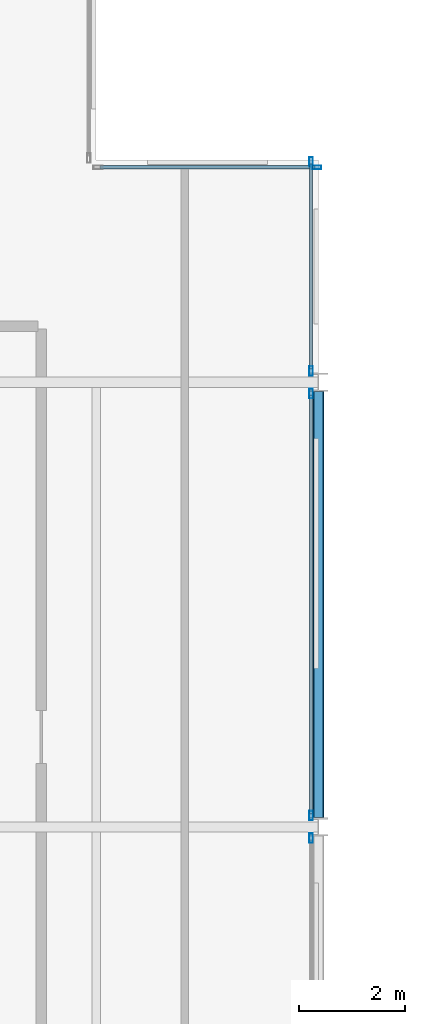
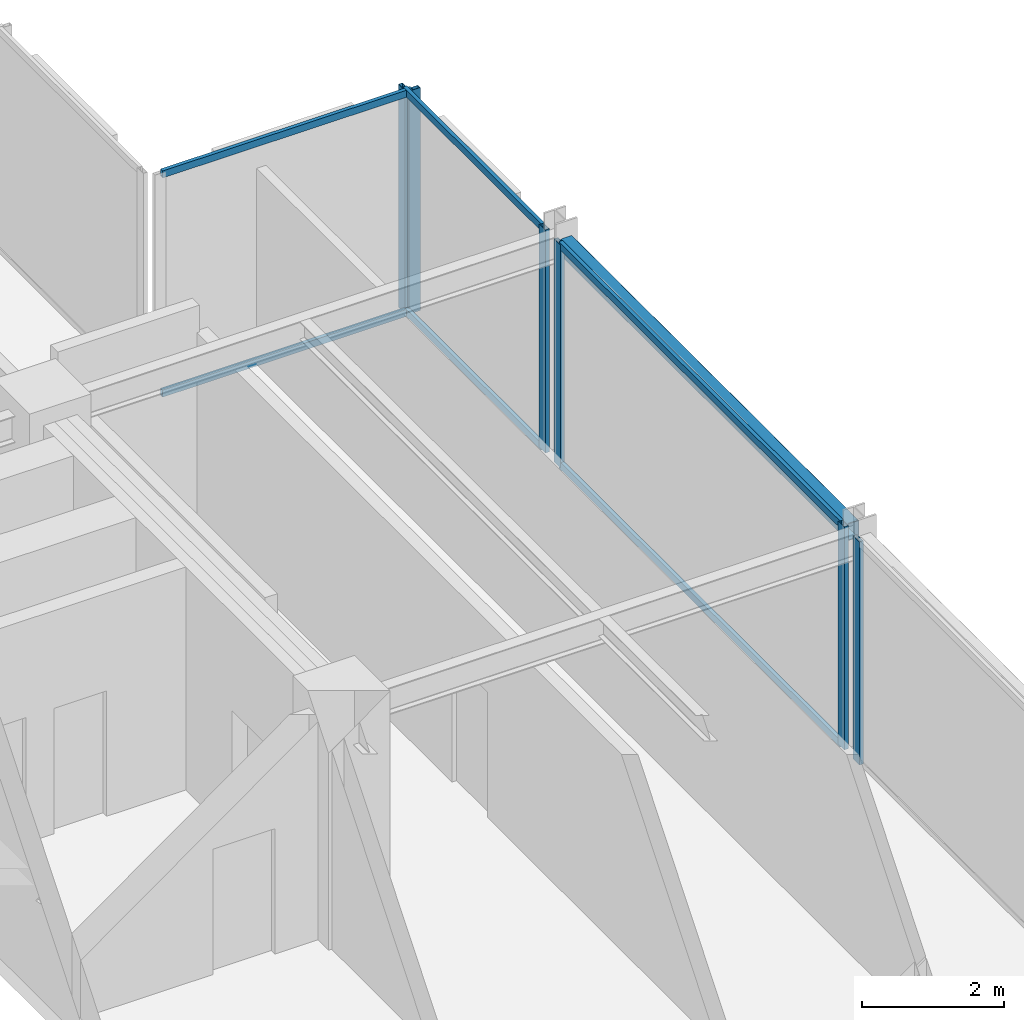
# One storey, part 22 of 29: 12 members, 1 beam, 4 elements without a shape of their own.
"""IFC4 building model written with IfcOpenShell, lengths in metres."""

from ifc_helpers import new_model, si_unit, direction, frame, origin, origin_2d, place, context, subcontext, project, spatial, hollow_rectangle, extrude, material, layer, layer_set, material_profile, profile_set, type_object, element, aggregate, save


model = new_model("IFC4")

# Units and contexts
model_context = context("Model", 3, precision=1e-05, world=origin(), true_north=direction((0.0, 1.0)))
body_context = subcontext(model_context, "Body", "Model", "MODEL_VIEW")
ifc_project = project(units=[si_unit("LENGTHUNIT", "METRE"), si_unit("AREAUNIT", "SQUARE_METRE"), si_unit("VOLUMEUNIT", "CUBIC_METRE"), si_unit("PLANEANGLEUNIT", "RADIAN"), si_unit("MASSUNIT", "GRAM", prefix="KILO")], contexts=[model_context])

# Site, building, storey
site_placement = place(None, origin())
site = spatial("IfcSite", under=ifc_project, at=site_placement, CompositionType="ELEMENT")
building_placement = place(site_placement, origin())
building = spatial("IfcBuilding", under=site, at=building_placement, Name="Nerrivon Quay Data Exchange", CompositionType="ELEMENT")
storey_placement = place(building_placement, frame((0.0, 0.0, 208.300048828125)))
storey = spatial("IfcBuildingStorey", under=building, at=storey_placement, Name="L49", CompositionType="ELEMENT", Elevation=208.300048828125)

# Beam
ifc_material_1 = material(Name="Steel Grade C350L0 (350 MPa)", Category="steel")
ifc_material_profile_1 = material_profile(ifc_material_1, hollow_rectangle(XDim=0.199951171875, YDim=0.300048828125, WallThickness=0.012451171875, InnerFilletRadius=0.018798828125, OuterFilletRadius=0.03125, at=origin_2d()), Name="300x200x12.5RHS")
ifc_profile_set_1 = profile_set([ifc_material_profile_1], Name="Steel Grade C350L0 (350 MPa)")
beam_type = type_object("IfcBeamType", Name="BM-SP3-300x200RHS", PredefinedType="SPANDREL", material=ifc_profile_set_1)
beam_placement = place(storey_placement, frame((25.199951171875, 33.77490234375, 3.675048828125), z_axis=(0.0, 1.0, 0.0), x_axis=(-1.0, 0.0, 0.0)))
element("IfcBeam", 1, at=beam_placement, inside=storey, type_object=beam_type, Name="L49 NS Girder X=25.2 (33.6..42.0)", PredefinedType="SPANDREL", context=body_context, shape_type="SweptSolid", body=[
    extrude(hollow_rectangle(XDim=0.199951171875, YDim=0.300048828125, WallThickness=0.012451171875, InnerFilletRadius=0.018798828125, OuterFilletRadius=0.03125, at=origin_2d()), origin(), (0.0, 0.0, 1.0), 8.050048828125),
])

# Curtain wall, member
ifc_material_2 = material(Name="Anodised aluminium 6063-T6", Category="aluminium")
ifc_layer = layer(ifc_material_2, 0.195068359375)
ifc_layer_set = layer_set([ifc_layer], Name="Anodised aluminium 6063-T6")
curtain_wall_type = type_object("IfcCurtainWallType", Name="CW-SYS-06", PredefinedType="NOTDEFINED", material=ifc_layer_set)
curtain_wall_1_placement = place(storey_placement, origin())
curtain_wall_1 = element("IfcCurtainWall", 2, at=curtain_wall_1_placement, inside=storey, type_object=curtain_wall_type, Name="L49 Unitised Curtain Wall 12", PredefinedType="NOTDEFINED")
ifc_material_profile_2 = material_profile(ifc_material_2, hollow_rectangle(XDim=0.06494140625, YDim=0.179931640625, WallThickness=0.00341796875, at=origin_2d()), Name="ALU-MULL-180x65")
ifc_profile_set_2 = profile_set([ifc_material_profile_2], Name="Anodised aluminium 6063-T6")
member_type_1 = type_object("IfcMemberType", Name="CWM-180x65", PredefinedType="MULLION", material=ifc_profile_set_2)
member_1_placement = place(storey_placement, frame((25.16259765625, 46.06005859375, 0.0), z_axis=(0.0, 0.0, 1.0), x_axis=(0.0, 1.0, 0.0)))
member_1 = element("IfcMember", 3, at=member_1_placement, type_object=member_type_1, Name="CW06 mullion 2", PredefinedType="MULLION", context=body_context, shape_type="SweptSolid", body=[
    extrude(hollow_rectangle(XDim=0.06494140625, YDim=0.179931640625, WallThickness=0.00341796875, at=origin_2d()), origin(), (0.0, 0.0, 1.0), 3.824951171875),
])

# Curtain wall, members
curtain_wall_2_placement = place(storey_placement, origin())
curtain_wall_2 = element("IfcCurtainWall", 4, at=curtain_wall_2_placement, inside=storey, type_object=curtain_wall_type, Name="L49 Unitised Curtain Wall 13", PredefinedType="NOTDEFINED")
member_2_placement = place(storey_placement, frame((25.06005859375, 46.16259765625, 0.0), z_axis=(0.0, 0.0, 1.0), x_axis=(1.0, 0.0, 0.0)))
member_2 = element("IfcMember", 5, at=member_2_placement, type_object=member_type_1, Name="CW06 mullion 1", PredefinedType="MULLION", context=body_context, shape_type="SweptSolid", body=[
    extrude(hollow_rectangle(XDim=0.06494140625, YDim=0.179931640625, WallThickness=0.00341796875, at=origin_2d()), origin(), (0.0, 0.0, 1.0), 3.824951171875),
])
member_3_placement = place(storey_placement, frame((25.06005859375, 42.21240234375, 0.0), z_axis=(0.0, 0.0, 1.0), x_axis=(1.0, 0.0, 0.0)))
member_3 = element("IfcMember", 6, at=member_3_placement, type_object=member_type_1, Name="CW06 mullion 2", PredefinedType="MULLION", context=body_context, shape_type="SweptSolid", body=[
    extrude(hollow_rectangle(XDim=0.06494140625, YDim=0.179931640625, WallThickness=0.00341796875, at=origin_2d()), origin(), (0.0, 0.0, 1.0), 3.824951171875),
])

curtain_wall_3_placement = place(storey_placement, origin())
curtain_wall_3 = element("IfcCurtainWall", 7, at=curtain_wall_3_placement, inside=storey, type_object=curtain_wall_type, Name="L49 Unitised Curtain Wall 14", PredefinedType="NOTDEFINED")
member_4_placement = place(storey_placement, frame((25.06005859375, 41.78759765625, 0.0), z_axis=(0.0, 0.0, 1.0), x_axis=(1.0, 0.0, 0.0)))
member_4 = element("IfcMember", 8, at=member_4_placement, type_object=member_type_1, Name="CW06 mullion 1", PredefinedType="MULLION", context=body_context, shape_type="SweptSolid", body=[
    extrude(hollow_rectangle(XDim=0.06494140625, YDim=0.179931640625, WallThickness=0.00341796875, at=origin_2d()), origin(), (0.0, 0.0, 1.0), 3.824951171875),
])
member_5_placement = place(storey_placement, frame((25.06005859375, 33.8125, 0.0), z_axis=(0.0, 0.0, 1.0), x_axis=(1.0, 0.0, 0.0)))
member_5 = element("IfcMember", 9, at=member_5_placement, type_object=member_type_1, Name="CW06 mullion 2", PredefinedType="MULLION", context=body_context, shape_type="SweptSolid", body=[
    extrude(hollow_rectangle(XDim=0.06494140625, YDim=0.179931640625, WallThickness=0.00341796875, at=origin_2d()), origin(), (0.0, 0.0, 1.0), 3.824951171875),
])

# Curtain wall, member
curtain_wall_4_placement = place(storey_placement, origin())
curtain_wall_4 = element("IfcCurtainWall", 10, at=curtain_wall_4_placement, inside=storey, type_object=curtain_wall_type, Name="L49 Unitised Curtain Wall 15", PredefinedType="NOTDEFINED")
member_6_placement = place(storey_placement, frame((25.06005859375, 33.387451171875, 0.0), z_axis=(0.0, 0.0, 1.0), x_axis=(1.0, 0.0, 0.0)))
member_6 = element("IfcMember", 11, at=member_6_placement, type_object=member_type_1, Name="CW06 mullion 1", PredefinedType="MULLION", context=body_context, shape_type="SweptSolid", body=[
    extrude(hollow_rectangle(XDim=0.06494140625, YDim=0.179931640625, WallThickness=0.00341796875, at=origin_2d()), origin(), (0.0, 0.0, 1.0), 3.824951171875),
])
aggregate(curtain_wall_4, [member_6])

# Member
ifc_material_profile_3 = material_profile(ifc_material_2, hollow_rectangle(XDim=0.06005859375, YDim=0.1201171875, WallThickness=0.003173828125, at=origin_2d()), Name="ALU-TRAN-120x60")
ifc_profile_set_3 = profile_set([ifc_material_profile_3], Name="Anodised aluminium 6063-T6")
member_type_2 = type_object("IfcMemberType", Name="CWT-120x60", PredefinedType="USERDEFINED", material=ifc_profile_set_3)
member_7_placement = place(storey_placement, frame((21.074951171875, 46.06005859375, 0.032470703125), z_axis=(1.0, 0.0, 0.0), x_axis=(0.0, 1.0, 0.0)))
member_7 = element("IfcMember", 12, at=member_7_placement, type_object=member_type_2, Name="CW06 transom 1.1", ObjectType="TRANSOM", PredefinedType="USERDEFINED", context=body_context, shape_type="SweptSolid", body=[
    extrude(hollow_rectangle(XDim=0.06005859375, YDim=0.1201171875, WallThickness=0.003173828125, at=origin_2d()), origin(), (0.0, 0.0, 1.0), 4.050048828125),
])

member_8_placement = place(storey_placement, frame((21.074951171875, 46.06005859375, 3.79248046875), z_axis=(1.0, 0.0, 0.0), x_axis=(0.0, 1.0, 0.0)))
member_8 = element("IfcMember", 13, at=member_8_placement, type_object=member_type_2, Name="CW06 transom 1.2", ObjectType="TRANSOM", PredefinedType="USERDEFINED", context=body_context, shape_type="SweptSolid", body=[
    extrude(hollow_rectangle(XDim=0.06005859375, YDim=0.1201171875, WallThickness=0.003173828125, at=origin_2d()), origin(), (0.0, 0.0, 1.0), 4.050048828125),
])

aggregate(curtain_wall_1, [member_1, member_7, member_8])

member_9_placement = place(storey_placement, frame((25.06005859375, 46.125, 0.032470703125), z_axis=(0.0, -1.0, 0.0), x_axis=(1.0, 0.0, 0.0)))
member_9 = element("IfcMember", 14, at=member_9_placement, type_object=member_type_2, Name="CW06 transom 1.1", ObjectType="TRANSOM", PredefinedType="USERDEFINED", context=body_context, shape_type="SweptSolid", body=[
    extrude(hollow_rectangle(XDim=0.06005859375, YDim=0.1201171875, WallThickness=0.003173828125, at=origin_2d()), origin(), (0.0, 0.0, 1.0), 3.875),
])

member_10_placement = place(storey_placement, frame((25.06005859375, 46.125, 3.79248046875), z_axis=(0.0, -1.0, 0.0), x_axis=(1.0, 0.0, 0.0)))
member_10 = element("IfcMember", 15, at=member_10_placement, type_object=member_type_2, Name="CW06 transom 1.2", ObjectType="TRANSOM", PredefinedType="USERDEFINED", context=body_context, shape_type="SweptSolid", body=[
    extrude(hollow_rectangle(XDim=0.06005859375, YDim=0.1201171875, WallThickness=0.003173828125, at=origin_2d()), origin(), (0.0, 0.0, 1.0), 3.875),
])

aggregate(curtain_wall_2, [member_2, member_3, member_9, member_10])

member_11_placement = place(storey_placement, frame((25.06005859375, 41.75, 0.032470703125), z_axis=(0.0, -1.0, 0.0), x_axis=(1.0, 0.0, 0.0)))
member_11 = element("IfcMember", 16, at=member_11_placement, type_object=member_type_2, Name="CW06 transom 1.1", ObjectType="TRANSOM", PredefinedType="USERDEFINED", context=body_context, shape_type="SweptSolid", body=[
    extrude(hollow_rectangle(XDim=0.06005859375, YDim=0.1201171875, WallThickness=0.003173828125, at=origin_2d()), origin(), (0.0, 0.0, 1.0), 7.89990234375),
])

member_12_placement = place(storey_placement, frame((25.06005859375, 41.75, 3.79248046875), z_axis=(0.0, -1.0, 0.0), x_axis=(1.0, 0.0, 0.0)))
member_12 = element("IfcMember", 17, at=member_12_placement, type_object=member_type_2, Name="CW06 transom 1.2", ObjectType="TRANSOM", PredefinedType="USERDEFINED", context=body_context, shape_type="SweptSolid", body=[
    extrude(hollow_rectangle(XDim=0.06005859375, YDim=0.1201171875, WallThickness=0.003173828125, at=origin_2d()), origin(), (0.0, 0.0, 1.0), 7.89990234375),
])

aggregate(curtain_wall_3, [member_4, member_5, member_11, member_12])

save(model, "model.ifc")
